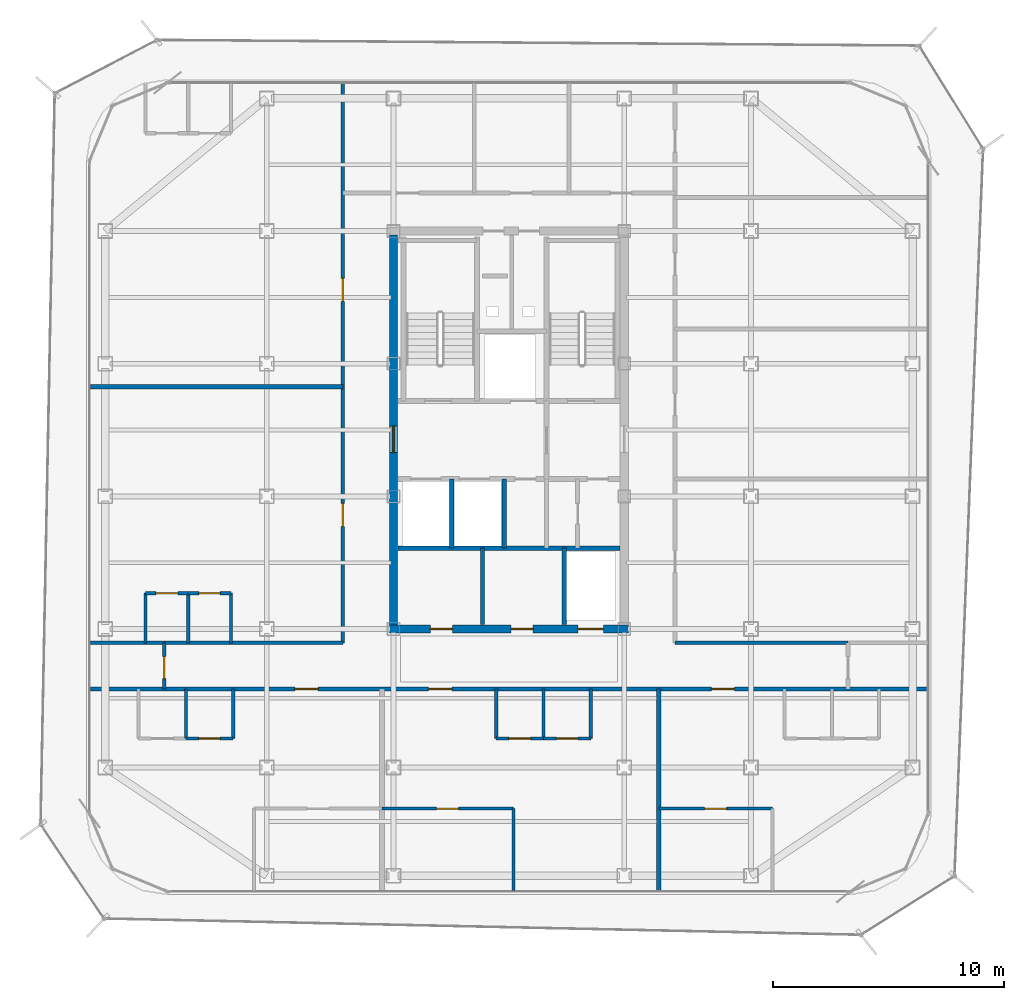
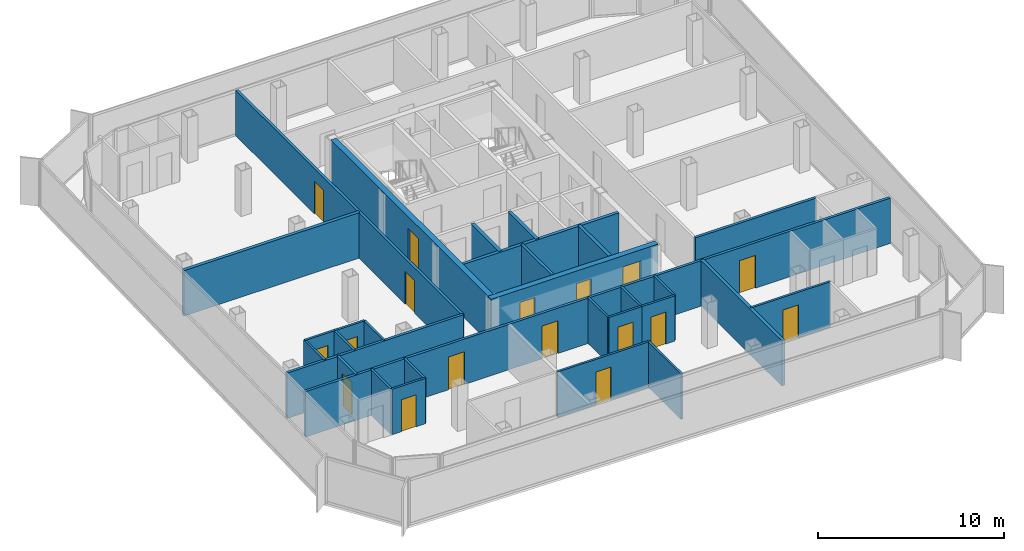
# One storey, part 10 of 15: 31 walls, 17 doors, 17 openings.
"""IFC4 building model written with IfcOpenShell, lengths in metres."""

from ifc_helpers import new_model, si_unit, direction, frame, frame_2d, origin, place, context, subcontext, project, spatial, rectangle, extrude, material, layer, layer_set, type_object, element, fill, save


model = new_model("IFC4")

# Units and contexts
model_context = context("Model", 3, precision=1e-05, world=origin(), true_north=direction((0.0, 1.0)))
body_context = subcontext(model_context, "Body", "Model", "MODEL_VIEW")
ifc_project = project(units=[si_unit("LENGTHUNIT", "METRE"), si_unit("AREAUNIT", "SQUARE_METRE"), si_unit("VOLUMEUNIT", "CUBIC_METRE"), si_unit("PLANEANGLEUNIT", "RADIAN"), si_unit("MASSUNIT", "GRAM", prefix="KILO")], contexts=[model_context])

# Site, building, storey
site_placement = place(None, origin())
site = spatial("IfcSite", under=ifc_project, at=site_placement, CompositionType="ELEMENT")
building_placement = place(site_placement, origin())
building = spatial("IfcBuilding", under=site, at=building_placement, Name="Kolveth Station Tower", CompositionType="ELEMENT")
storey_placement = place(building_placement, frame((0.0, 0.0, 223.300048828125)))
storey = spatial("IfcBuildingStorey", under=building, at=storey_placement, Name="L63", CompositionType="ELEMENT", Elevation=223.300048828125)

# Wall, openings, doors
ifc_material_1 = material(Name="Concrete C50/60", Category="concrete")
ifc_layer_1 = layer(ifc_material_1, 0.35009765625)
ifc_layer_set_1 = layer_set([ifc_layer_1], Name="Concrete C50/60")
wall_type_1 = type_object("IfcWallType", Name="Wall_CW-350", PredefinedType="SHEAR", material=ifc_layer_set_1)
wall_1_placement = place(storey_placement, frame((18.324951171875, 11.5, 0.0), z_axis=(0.0, 0.0, 1.0), x_axis=(1.0, 0.0, 0.0)))
wall_1 = element("IfcWall", 1, at=wall_1_placement, inside=storey, type_object=wall_type_1, Name="L63 Core RC Shear Wall S", PredefinedType="SHEAR", context=body_context, shape_type="SweptSolid", body=[
    extrude(rectangle(XDim=10.35009765625, YDim=0.35009765625, at=frame_2d((5.175048828125, 0.0))), origin(), (0.0, 0.0, 1.0), 2.97998046875),
])
opening_1_placement = place(wall_1_placement, frame((1.77490234375, 0.0, 0.0)))
opening_1 = element("IfcOpeningElement", 2, at=opening_1_placement, cuts=wall_1, Name="Opening ID1", PredefinedType="OPENING", context=body_context, shape_type="SweptSolid", body=[
    extrude(rectangle(XDim=0.949951171875, YDim=2.14990234375, at=frame_2d((0.47509765625, 1.074951171875))), frame((0.0, 0.18505859375, 0.0), z_axis=(0.0, -1.0, 0.0), x_axis=(1.0, 0.0, 0.0)), (0.0, 0.0, 1.0), 0.3701171875),
])
opening_2_placement = place(wall_1_placement, frame((5.27490234375, 0.0, 0.0)))
opening_2 = element("IfcOpeningElement", 3, at=opening_2_placement, cuts=wall_1, Name="Opening ID1", PredefinedType="OPENING", context=body_context, shape_type="SweptSolid", body=[
    extrude(rectangle(XDim=0.949951171875, YDim=2.14990234375, at=frame_2d((0.47509765625, 1.074951171875))), frame((0.0, 0.18505859375, 0.0), z_axis=(0.0, -1.0, 0.0), x_axis=(1.0, 0.0, 0.0)), (0.0, 0.0, 1.0), 0.3701171875),
])
opening_3_placement = place(wall_1_placement, frame((8.175048828125, 0.0, 0.0)))
opening_3 = element("IfcOpeningElement", 4, at=opening_3_placement, cuts=wall_1, Name="Opening LD1", PredefinedType="OPENING", context=body_context, shape_type="SweptSolid", body=[
    extrude(rectangle(XDim=1.10009765625, YDim=2.25, at=frame_2d((0.550048828125, 1.125))), frame((0.0, 0.18505859375, 0.0), z_axis=(0.0, -1.0, 0.0), x_axis=(1.0, 0.0, 0.0)), (0.0, 0.0, 1.0), 0.3701171875),
])
ifc_material_2 = material(Name="Acoustic hardwood leaf and aluminium frame", Category="wood")
door_type_1 = type_object("IfcDoorType", Name="Door_ID1", OperationType="NOTDEFINED", PredefinedType="DOOR", material=ifc_material_2)
door_1_placement = place(opening_1_placement, frame((0.949951171875, 0.0, 0.0), z_axis=(0.0, 0.0, 1.0), x_axis=(-1.0, 0.0, 0.0)))
door_1 = element("IfcDoor", 5, at=door_1_placement, inside=storey, type_object=door_type_1, Name="L63 Laundry Room Door", OperationType="SINGLE_SWING_LEFT", OverallHeight=2.14990234375, OverallWidth=0.949951171875, PredefinedType="DOOR", context=body_context, shape_type="SweptSolid", body=[
    extrude(rectangle(XDim=0.949951171875, YDim=2.14990234375, at=frame_2d((0.47509765625, 1.074951171875))), frame((0.0, 0.02490234375, 0.0), z_axis=(0.0, -1.0, 0.0), x_axis=(1.0, 0.0, 0.0)), (0.0, 0.0, 1.0), 0.050048828125),
])
fill(opening_1, door_1)
door_2_placement = place(opening_2_placement, frame((0.949951171875, 0.0, 0.0), z_axis=(0.0, 0.0, 1.0), x_axis=(-1.0, 0.0, 0.0)))
door_2 = element("IfcDoor", 6, at=door_2_placement, inside=storey, type_object=door_type_1, Name="L63 Parcel Room Door", OperationType="SINGLE_SWING_RIGHT", OverallHeight=2.14990234375, OverallWidth=0.949951171875, PredefinedType="DOOR", context=body_context, shape_type="SweptSolid", body=[
    extrude(rectangle(XDim=0.949951171875, YDim=2.14990234375, at=frame_2d((0.47509765625, 1.074951171875))), frame((0.0, 0.02490234375, 0.0), z_axis=(0.0, -1.0, 0.0), x_axis=(1.0, 0.0, 0.0)), (0.0, 0.0, 1.0), 0.050048828125),
])
fill(opening_2, door_2)
ifc_material_3 = material(Name="Brushed stainless steel sliding landing doors", Category="steel")
door_type_2 = type_object("IfcDoorType", Name="Door_LD1", OperationType="NOTDEFINED", PredefinedType="DOOR", material=ifc_material_3)
door_3_placement = place(opening_3_placement, frame((1.10009765625, 0.0, 0.0), z_axis=(0.0, 0.0, 1.0), x_axis=(-1.0, 0.0, 0.0)))
door_3 = element("IfcDoor", 7, at=door_3_placement, inside=storey, type_object=door_type_2, Name="L63 Lift PH1 Landing Door", OperationType="DOUBLE_DOOR_SLIDING", OverallHeight=2.25, OverallWidth=1.10009765625, PredefinedType="DOOR", context=body_context, shape_type="SweptSolid", body=[
    extrude(rectangle(XDim=1.10009765625, YDim=2.25, at=frame_2d((0.550048828125, 1.125))), frame((0.0, 0.02490234375, 0.0), z_axis=(0.0, -1.0, 0.0), x_axis=(1.0, 0.0, 0.0)), (0.0, 0.0, 1.0), 0.050048828125),
])
fill(opening_3, door_3)

# Wall, opening, door
wall_2_placement = place(storey_placement, frame((18.5, 11.675048828125, 0.0), z_axis=(0.0, 0.0, 1.0), x_axis=(0.0, 1.0, 0.0)))
wall_2 = element("IfcWall", 8, at=wall_2_placement, inside=storey, type_object=wall_type_1, Name="L63 Core RC Shear Wall W", PredefinedType="SHEAR", context=body_context, shape_type="SweptSolid", body=[
    extrude(rectangle(XDim=16.89990234375, YDim=0.35009765625, at=frame_2d((8.449951171875, 0.0))), origin(), (0.0, 0.0, 1.0), 2.97998046875),
])
opening_4_placement = place(wall_2_placement, frame((7.47509765625, 0.0, 0.0)))
opening_4 = element("IfcOpeningElement", 9, at=opening_4_placement, cuts=wall_2, Name="Opening FD1", PredefinedType="OPENING", context=body_context, shape_type="SweptSolid", body=[
    extrude(rectangle(XDim=1.14990234375, YDim=2.199951171875, at=frame_2d((0.574951171875, 1.10009765625))), frame((0.0, 0.18505859375, 0.0), z_axis=(0.0, -1.0, 0.0), x_axis=(1.0, 0.0, 0.0)), (0.0, 0.0, 1.0), 0.3701171875),
])
ifc_material_4 = material(Name="Fire-rated Steel S355 leaf and frame", Category="steel")
door_type_3 = type_object("IfcDoorType", Name="Door_FD1", OperationType="NOTDEFINED", PredefinedType="DOOR", material=ifc_material_4)
door_4_placement = place(opening_4_placement, frame((1.14990234375, 0.0, 0.0), z_axis=(0.0, 0.0, 1.0), x_axis=(-1.0, 0.0, 0.0)))
door_4 = element("IfcDoor", 10, at=door_4_placement, inside=storey, type_object=door_type_3, Name="L63 West Corridor to Firefighting Lobby Door", OperationType="SINGLE_SWING_LEFT", OverallHeight=2.199951171875, OverallWidth=1.14990234375, PredefinedType="DOOR", context=body_context, shape_type="SweptSolid", body=[
    extrude(rectangle(XDim=1.14990234375, YDim=2.199951171875, at=frame_2d((0.574951171875, 1.10009765625))), frame((0.0, 0.02490234375, 0.0), z_axis=(0.0, -1.0, 0.0), x_axis=(1.0, 0.0, 0.0)), (0.0, 0.0, 1.0), 0.050048828125),
])
fill(opening_4, door_4)

ifc_material_5 = material(Name="Moisture-resistant gypsum partition")
ifc_layer_2 = layer(ifc_material_5, 0.135009765625)
ifc_layer_set_2 = layer_set([ifc_layer_2], Name="Moisture-resistant gypsum partition")
wall_type_2 = type_object("IfcWallType", Name="Wall_IW-135", PredefinedType="PARTITIONING", material=ifc_layer_set_2)
wall_3_placement = place(storey_placement, frame((9.5, 6.75, 0.0), z_axis=(0.0, 0.0, 1.0), x_axis=(1.0, 0.0, 0.0)))
wall_3 = element("IfcWall", 11, at=wall_3_placement, inside=storey, type_object=wall_type_2, Name="L63 Partition Wall WL-L63-A1-IBHB", PredefinedType="PARTITIONING", context=body_context, shape_type="SweptSolid", body=[
    extrude(rectangle(XDim=2.050048828125, YDim=0.135009765625, at=frame_2d((1.02490234375, 0.0))), origin(), (0.0, 0.0, 1.0), 2.97998046875),
])
opening_5_placement = place(wall_3_placement, frame((0.56494140625, 0.0, 0.0)))
opening_5 = element("IfcOpeningElement", 12, at=opening_5_placement, cuts=wall_3, Name="Opening ID2", PredefinedType="OPENING", context=body_context, shape_type="SweptSolid", body=[
    extrude(rectangle(XDim=0.919921875, YDim=2.10009765625, at=frame_2d((0.4599609375, 1.050048828125))), frame((0.0, 0.077392578125, 0.0), z_axis=(0.0, -1.0, 0.0), x_axis=(1.0, 0.0, 0.0)), (0.0, 0.0, 1.0), 0.155029296875),
])
ifc_material_6 = material(Name="Moisture-resistant hardwood leaf", Category="wood")
door_type_4 = type_object("IfcDoorType", Name="Door_ID2", OperationType="NOTDEFINED", PredefinedType="DOOR", material=ifc_material_6)
door_5_placement = place(opening_5_placement, origin())
door_5 = element("IfcDoor", 13, at=door_5_placement, inside=storey, type_object=door_type_4, Name="Penthouse Flat L63-A1 Bathroom Door", OperationType="SINGLE_SWING_LEFT", OverallHeight=2.10009765625, OverallWidth=0.919921875, PredefinedType="DOOR", context=body_context, shape_type="SweptSolid", body=[
    extrude(rectangle(XDim=0.919921875, YDim=2.10009765625, at=frame_2d((0.4599609375, 1.050048828125))), frame((0.0, 0.02490234375, 0.0), z_axis=(0.0, -1.0, 0.0), x_axis=(1.0, 0.0, 0.0)), (0.0, 0.0, 1.0), 0.050048828125),
])
fill(opening_5, door_5)

# Walls
for number, where, z_axis, x_axis, name in (
    (14, (9.5, 6.75, 0.0), (0.0, 0.0, 1.0), (0.0, 1.0, 0.0), "L63 Partition Wall WL-L63-A1-IBV1"),
    (15, (11.550048828125, 6.75, 0.0), (0.0, 0.0, 1.0), (0.0, 1.0, 0.0), "L63 Partition Wall WL-L63-A1-IBV2"),
):
    element("IfcWall", number, at=place(storey_placement, frame(where, z_axis=z_axis, x_axis=x_axis)), inside=storey, type_object=wall_type_2, Name=name, PredefinedType="PARTITIONING", context=body_context, shape_type="SweptSolid", body=[
        extrude(rectangle(XDim=2.14990234375, YDim=0.135009765625, at=frame_2d((1.074951171875, 0.0))), origin(), (0.0, 0.0, 1.0), 2.97998046875),
    ])

# Wall, opening, door
wall_4_placement = place(storey_placement, frame((22.949951171875, 6.75, 0.0), z_axis=(0.0, 0.0, 1.0), x_axis=(1.0, 0.0, 0.0)))
wall_4 = element("IfcWall", 16, at=wall_4_placement, inside=storey, type_object=wall_type_2, Name="L63 Partition Wall WL-L63-A2-IBHK", PredefinedType="PARTITIONING", context=body_context, shape_type="SweptSolid", body=[
    extrude(rectangle(XDim=2.050048828125, YDim=0.135009765625, at=frame_2d((1.02490234375, 0.0))), origin(), (0.0, 0.0, 1.0), 2.97998046875),
])
opening_6_placement = place(wall_4_placement, frame((0.544921875, 0.0, 0.0)))
opening_6 = element("IfcOpeningElement", 17, at=opening_6_placement, cuts=wall_4, Name="Opening ID1", PredefinedType="OPENING", context=body_context, shape_type="SweptSolid", body=[
    extrude(rectangle(XDim=0.949951171875, YDim=2.14990234375, at=frame_2d((0.47509765625, 1.074951171875))), frame((0.0, 0.077392578125, 0.0), z_axis=(0.0, -1.0, 0.0), x_axis=(1.0, 0.0, 0.0)), (0.0, 0.0, 1.0), 0.155029296875),
])
door_6_placement = place(opening_6_placement, origin())
door_6 = element("IfcDoor", 18, at=door_6_placement, inside=storey, type_object=door_type_1, Name="Penthouse Flat L63-A2 Kitchen Door", OperationType="SINGLE_SWING_LEFT", OverallHeight=2.14990234375, OverallWidth=0.949951171875, PredefinedType="DOOR", context=body_context, shape_type="SweptSolid", body=[
    extrude(rectangle(XDim=0.949951171875, YDim=2.14990234375, at=frame_2d((0.47509765625, 1.074951171875))), frame((0.0, 0.02490234375, 0.0), z_axis=(0.0, -1.0, 0.0), x_axis=(1.0, 0.0, 0.0)), (0.0, 0.0, 1.0), 0.050048828125),
])
fill(opening_6, door_6)

wall_5_placement = place(storey_placement, frame((25.0, 6.75, 0.0), z_axis=(0.0, 0.0, 1.0), x_axis=(1.0, 0.0, 0.0)))
wall_5 = element("IfcWall", 19, at=wall_5_placement, inside=storey, type_object=wall_type_2, Name="L63 Partition Wall WL-L63-A2-IBHB", PredefinedType="PARTITIONING", context=body_context, shape_type="SweptSolid", body=[
    extrude(rectangle(XDim=2.050048828125, YDim=0.135009765625, at=frame_2d((1.02490234375, 0.0))), origin(), (0.0, 0.0, 1.0), 2.97998046875),
])
opening_7_placement = place(wall_5_placement, frame((0.56494140625, 0.0, 0.0)))
opening_7 = element("IfcOpeningElement", 20, at=opening_7_placement, cuts=wall_5, Name="Opening ID2", PredefinedType="OPENING", context=body_context, shape_type="SweptSolid", body=[
    extrude(rectangle(XDim=0.919921875, YDim=2.10009765625, at=frame_2d((0.4599609375, 1.050048828125))), frame((0.0, 0.077392578125, 0.0), z_axis=(0.0, -1.0, 0.0), x_axis=(1.0, 0.0, 0.0)), (0.0, 0.0, 1.0), 0.155029296875),
])
door_7_placement = place(opening_7_placement, origin())
door_7 = element("IfcDoor", 21, at=door_7_placement, inside=storey, type_object=door_type_4, Name="Penthouse Flat L63-A2 Bathroom Door", OperationType="SINGLE_SWING_RIGHT", OverallHeight=2.10009765625, OverallWidth=0.919921875, PredefinedType="DOOR", context=body_context, shape_type="SweptSolid", body=[
    extrude(rectangle(XDim=0.919921875, YDim=2.10009765625, at=frame_2d((0.4599609375, 1.050048828125))), frame((0.0, 0.02490234375, 0.0), z_axis=(0.0, -1.0, 0.0), x_axis=(1.0, 0.0, 0.0)), (0.0, 0.0, 1.0), 0.050048828125),
])
fill(opening_7, door_7)

# Walls
for number, where, z_axis, x_axis, name in (
    (22, (22.949951171875, 6.75, 0.0), (0.0, 0.0, 1.0), (0.0, 1.0, 0.0), "L63 Partition Wall WL-L63-A2-IBV0"),
    (23, (25.0, 6.75, 0.0), (0.0, 0.0, 1.0), (0.0, 1.0, 0.0), "L63 Partition Wall WL-L63-A2-IBV1"),
    (24, (27.050048828125, 6.75, 0.0), (0.0, 0.0, 1.0), (0.0, 1.0, 0.0), "L63 Partition Wall WL-L63-A2-IBV2"),
):
    element("IfcWall", number, at=place(storey_placement, frame(where, z_axis=z_axis, x_axis=x_axis)), inside=storey, type_object=wall_type_2, Name=name, PredefinedType="PARTITIONING", context=body_context, shape_type="SweptSolid", body=[
        extrude(rectangle(XDim=2.14990234375, YDim=0.135009765625, at=frame_2d((1.074951171875, 0.0))), origin(), (0.0, 0.0, 1.0), 2.97998046875),
    ])
wall_6_placement = place(storey_placement, frame((23.7041015625, 0.159912109375, 0.0), z_axis=(0.0, 0.0, 1.0), x_axis=(0.0, 1.0, 0.0)))
element("IfcWall", 25, at=wall_6_placement, inside=storey, type_object=wall_type_2, Name="L63 Partition Wall WL-L63-A2-BDVE", PredefinedType="PARTITIONING", context=body_context, shape_type="SweptSolid", body=[
    extrude(rectangle(XDim=3.550048828125, YDim=0.135009765625, at=frame_2d((1.77490234375, 0.0))), origin(), (0.0, 0.0, 1.0), 2.97998046875),
])

# Wall, opening, door
wall_7_placement = place(storey_placement, frame((18.0, 3.7099609375, 0.0), z_axis=(0.0, 0.0, 1.0), x_axis=(1.0, 0.0, 0.0)))
wall_7 = element("IfcWall", 26, at=wall_7_placement, inside=storey, type_object=wall_type_2, Name="L63 Partition Wall WL-L63-A2-BDH1", PredefinedType="PARTITIONING", context=body_context, shape_type="SweptSolid", body=[
    extrude(rectangle(XDim=5.7041015625, YDim=0.135009765625, at=frame_2d((2.85205078125, 0.0))), origin(), (0.0, 0.0, 1.0), 2.97998046875),
])
opening_8_placement = place(wall_7_placement, frame((2.3720703125, 0.0, 0.0)))
opening_8 = element("IfcOpeningElement", 27, at=opening_8_placement, cuts=wall_7, Name="Opening ID1", PredefinedType="OPENING", context=body_context, shape_type="SweptSolid", body=[
    extrude(rectangle(XDim=0.949951171875, YDim=2.14990234375, at=frame_2d((0.47509765625, 1.074951171875))), frame((0.0, 0.077392578125, 0.0), z_axis=(0.0, -1.0, 0.0), x_axis=(1.0, 0.0, 0.0)), (0.0, 0.0, 1.0), 0.155029296875),
])
door_8_placement = place(opening_8_placement, frame((0.949951171875, 0.0, 0.0), z_axis=(0.0, 0.0, 1.0), x_axis=(-1.0, 0.0, 0.0)))
door_8 = element("IfcDoor", 28, at=door_8_placement, inside=storey, type_object=door_type_1, Name="Penthouse Flat L63-A2 Bedroom 1 Door", OperationType="SINGLE_SWING_LEFT", OverallHeight=2.14990234375, OverallWidth=0.949951171875, PredefinedType="DOOR", context=body_context, shape_type="SweptSolid", body=[
    extrude(rectangle(XDim=0.949951171875, YDim=2.14990234375, at=frame_2d((0.47509765625, 1.074951171875))), frame((0.0, 0.02490234375, 0.0), z_axis=(0.0, -1.0, 0.0), x_axis=(1.0, 0.0, 0.0)), (0.0, 0.0, 1.0), 0.050048828125),
])
fill(opening_8, door_8)

wall_8_placement = place(storey_placement, frame((30.0, 3.7099609375, 0.0), z_axis=(0.0, 0.0, 1.0), x_axis=(1.0, 0.0, 0.0)))
wall_8 = element("IfcWall", 29, at=wall_8_placement, inside=storey, type_object=wall_type_2, Name="L63 Partition Wall WL-L63-A3-BDH1", PredefinedType="PARTITIONING", context=body_context, shape_type="SweptSolid", body=[
    extrude(rectangle(XDim=4.928955078125, YDim=0.135009765625, at=frame_2d((2.46435546875, 0.0))), origin(), (0.0, 0.0, 1.0), 2.97998046875),
])
opening_9_placement = place(wall_8_placement, frame((1.985107421875, 0.0, 0.0)))
opening_9 = element("IfcOpeningElement", 30, at=opening_9_placement, cuts=wall_8, Name="Opening ID1", PredefinedType="OPENING", context=body_context, shape_type="SweptSolid", body=[
    extrude(rectangle(XDim=0.949951171875, YDim=2.14990234375, at=frame_2d((0.47509765625, 1.074951171875))), frame((0.0, 0.077392578125, 0.0), z_axis=(0.0, -1.0, 0.0), x_axis=(1.0, 0.0, 0.0)), (0.0, 0.0, 1.0), 0.155029296875),
])
door_9_placement = place(opening_9_placement, frame((0.949951171875, 0.0, 0.0), z_axis=(0.0, 0.0, 1.0), x_axis=(-1.0, 0.0, 0.0)))
door_9 = element("IfcDoor", 31, at=door_9_placement, inside=storey, type_object=door_type_1, Name="Flat L63-A3 Bedroom 1 Door", OperationType="SINGLE_SWING_LEFT", OverallHeight=2.14990234375, OverallWidth=0.949951171875, PredefinedType="DOOR", context=body_context, shape_type="SweptSolid", body=[
    extrude(rectangle(XDim=0.949951171875, YDim=2.14990234375, at=frame_2d((0.47509765625, 1.074951171875))), frame((0.0, 0.02490234375, 0.0), z_axis=(0.0, -1.0, 0.0), x_axis=(1.0, 0.0, 0.0)), (0.0, 0.0, 1.0), 0.050048828125),
])
fill(opening_9, door_9)

wall_9_placement = place(storey_placement, frame((7.75, 13.050048828125, 0.0), z_axis=(0.0, 0.0, 1.0), x_axis=(1.0, 0.0, 0.0)))
wall_9 = element("IfcWall", 32, at=wall_9_placement, inside=storey, type_object=wall_type_2, Name="L63 Partition Wall WL-L63-W1-IBHK", PredefinedType="PARTITIONING", context=body_context, shape_type="SweptSolid", body=[
    extrude(rectangle(XDim=1.85009765625, YDim=0.135009765625, at=frame_2d((0.925048828125, 0.0))), origin(), (0.0, 0.0, 1.0), 2.97998046875),
])
opening_10_placement = place(wall_9_placement, frame((0.445068359375, 0.0, 0.0)))
opening_10 = element("IfcOpeningElement", 33, at=opening_10_placement, cuts=wall_9, Name="Opening ID1", PredefinedType="OPENING", context=body_context, shape_type="SweptSolid", body=[
    extrude(rectangle(XDim=0.949951171875, YDim=2.14990234375, at=frame_2d((0.47509765625, 1.074951171875))), frame((0.0, 0.077392578125, 0.0), z_axis=(0.0, -1.0, 0.0), x_axis=(1.0, 0.0, 0.0)), (0.0, 0.0, 1.0), 0.155029296875),
])
door_10_placement = place(opening_10_placement, origin())
door_10 = element("IfcDoor", 34, at=door_10_placement, inside=storey, type_object=door_type_1, Name="Penthouse Flat L63-W1 Kitchen Door", OperationType="SINGLE_SWING_LEFT", OverallHeight=2.14990234375, OverallWidth=0.949951171875, PredefinedType="DOOR", context=body_context, shape_type="SweptSolid", body=[
    extrude(rectangle(XDim=0.949951171875, YDim=2.14990234375, at=frame_2d((0.47509765625, 1.074951171875))), frame((0.0, 0.02490234375, 0.0), z_axis=(0.0, -1.0, 0.0), x_axis=(1.0, 0.0, 0.0)), (0.0, 0.0, 1.0), 0.050048828125),
])
fill(opening_10, door_10)

wall_10_placement = place(storey_placement, frame((9.60009765625, 13.050048828125, 0.0), z_axis=(0.0, 0.0, 1.0), x_axis=(1.0, 0.0, 0.0)))
wall_10 = element("IfcWall", 35, at=wall_10_placement, inside=storey, type_object=wall_type_2, Name="L63 Partition Wall WL-L63-W1-IBHB", PredefinedType="PARTITIONING", context=body_context, shape_type="SweptSolid", body=[
    extrude(rectangle(XDim=1.849853515625, YDim=0.135009765625, at=frame_2d((0.9248046875, 0.0))), origin(), (0.0, 0.0, 1.0), 2.97998046875),
])
opening_11_placement = place(wall_10_placement, frame((0.465087890625, 0.0, 0.0)))
opening_11 = element("IfcOpeningElement", 36, at=opening_11_placement, cuts=wall_10, Name="Opening ID2", PredefinedType="OPENING", context=body_context, shape_type="SweptSolid", body=[
    extrude(rectangle(XDim=0.919921875, YDim=2.10009765625, at=frame_2d((0.4599609375, 1.050048828125))), frame((0.0, 0.077392578125, 0.0), z_axis=(0.0, -1.0, 0.0), x_axis=(1.0, 0.0, 0.0)), (0.0, 0.0, 1.0), 0.155029296875),
])
door_11_placement = place(opening_11_placement, origin())
door_11 = element("IfcDoor", 37, at=door_11_placement, inside=storey, type_object=door_type_4, Name="Penthouse Flat L63-W1 Bathroom Door", OperationType="SINGLE_SWING_RIGHT", OverallHeight=2.10009765625, OverallWidth=0.919921875, PredefinedType="DOOR", context=body_context, shape_type="SweptSolid", body=[
    extrude(rectangle(XDim=0.919921875, YDim=2.10009765625, at=frame_2d((0.4599609375, 1.050048828125))), frame((0.0, 0.02490234375, 0.0), z_axis=(0.0, -1.0, 0.0), x_axis=(1.0, 0.0, 0.0)), (0.0, 0.0, 1.0), 0.050048828125),
])
fill(opening_11, door_11)

# Walls
for number, where, z_axis, x_axis, name in (
    (38, (7.75, 10.89990234375, 0.0), (0.0, 0.0, 1.0), (0.0, 1.0, 0.0), "L63 Partition Wall WL-L63-W1-IBV0"),
    (39, (9.60009765625, 10.89990234375, 0.0), (0.0, 0.0, 1.0), (0.0, 1.0, 0.0), "L63 Partition Wall WL-L63-W1-IBV1"),
    (40, (11.449951171875, 10.89990234375, 0.0), (0.0, 0.0, 1.0), (0.0, 1.0, 0.0), "L63 Partition Wall WL-L63-W1-IBV2"),
):
    element("IfcWall", number, at=place(storey_placement, frame(where, z_axis=z_axis, x_axis=x_axis)), inside=storey, type_object=wall_type_2, Name=name, PredefinedType="PARTITIONING", context=body_context, shape_type="SweptSolid", body=[
        extrude(rectangle(XDim=2.150146484375, YDim=0.135009765625, at=frame_2d((1.0751953125, 0.0))), origin(), (0.0, 0.0, 1.0), 2.97998046875),
    ])
ifc_material_7 = material(Name="Acoustic double-stud gypsum partition")
ifc_layer_3 = layer(ifc_material_7, 0.1650390625)
ifc_layer_set_3 = layer_set([ifc_layer_3], Name="Acoustic double-stud gypsum partition")
wall_type_3 = type_object("IfcWallType", Name="Wall_IW-165", PredefinedType="PARTITIONING", material=ifc_layer_set_3)
wall_11_placement = place(storey_placement, frame((22.35009765625, 11.68505859375, 0.0), z_axis=(0.0, 0.0, 1.0), x_axis=(0.0, 1.0, 0.0)))
element("IfcWall", 41, at=wall_11_placement, inside=storey, type_object=wall_type_3, Name="L63 Partition Wall WL-L63-FR-M", PredefinedType="PARTITIONING", context=body_context, shape_type="SweptSolid", body=[
    extrude(rectangle(XDim=3.31494140625, YDim=0.1650390625, at=frame_2d((1.657470703125, 0.0))), origin(), (0.0, 0.0, 1.0), 2.97998046875),
])

# Wall, openings, doors
wall_12_placement = place(storey_placement, frame((5.360107421875, 8.89990234375, 0.0), z_axis=(0.0, 0.0, 1.0), x_axis=(1.0, 0.0, 0.0)))
wall_12 = element("IfcWall", 42, at=wall_12_placement, inside=storey, type_object=wall_type_3, Name="L63 Partition Wall WL-L63-RS", PredefinedType="PARTITIONING", context=body_context, shape_type="SweptSolid", body=[
    extrude(rectangle(XDim=36.27978515625, YDim=0.1650390625, at=frame_2d((18.139892578125, 0.0))), origin(), (0.0, 0.0, 1.0), 2.97998046875),
])
opening_12_placement = place(wall_12_placement, frame((8.864990234375, 0.0, 0.0)))
opening_12 = element("IfcOpeningElement", 43, at=opening_12_placement, cuts=wall_12, Name="Opening FD3", PredefinedType="OPENING", context=body_context, shape_type="SweptSolid", body=[
    extrude(rectangle(XDim=1.0, YDim=2.14990234375, at=frame_2d((0.5, 1.074951171875))), frame((0.0, 0.092529296875, 0.0), z_axis=(0.0, -1.0, 0.0), x_axis=(1.0, 0.0, 0.0)), (0.0, 0.0, 1.0), 0.18505859375),
])
opening_13_placement = place(wall_12_placement, frame((14.6650390625, 0.0, 0.0)))
opening_13 = element("IfcOpeningElement", 44, at=opening_13_placement, cuts=wall_12, Name="Opening FD3", PredefinedType="OPENING", context=body_context, shape_type="SweptSolid", body=[
    extrude(rectangle(XDim=1.0, YDim=2.14990234375, at=frame_2d((0.5, 1.074951171875))), frame((0.0, 0.092529296875, 0.0), z_axis=(0.0, -1.0, 0.0), x_axis=(1.0, 0.0, 0.0)), (0.0, 0.0, 1.0), 0.18505859375),
])
opening_14_placement = place(wall_12_placement, frame((26.9150390625, 0.0, 0.0)))
opening_14 = element("IfcOpeningElement", 45, at=opening_14_placement, cuts=wall_12, Name="Opening FD3", PredefinedType="OPENING", context=body_context, shape_type="SweptSolid", body=[
    extrude(rectangle(XDim=1.0, YDim=2.14990234375, at=frame_2d((0.5, 1.074951171875))), frame((0.0, 0.092529296875, 0.0), z_axis=(0.0, -1.0, 0.0), x_axis=(1.0, 0.0, 0.0)), (0.0, 0.0, 1.0), 0.18505859375),
])
ifc_material_8 = material(Name="Fire-rated hardwood leaf and aluminium frame", Category="wood")
door_type_5 = type_object("IfcDoorType", Name="Door_FD3", OperationType="NOTDEFINED", PredefinedType="DOOR", material=ifc_material_8)
door_12_placement = place(opening_12_placement, frame((1.0, 0.0, 0.0), z_axis=(0.0, 0.0, 1.0), x_axis=(-1.0, 0.0, 0.0)))
door_12 = element("IfcDoor", 46, at=door_12_placement, inside=storey, type_object=door_type_5, Name="Penthouse Flat L63-A1 Entrance Door", OperationType="SINGLE_SWING_RIGHT", OverallHeight=2.14990234375, OverallWidth=1.0, PredefinedType="DOOR", context=body_context, shape_type="SweptSolid", body=[
    extrude(rectangle(XDim=1.0, YDim=2.14990234375, at=frame_2d((0.5, 1.074951171875))), frame((0.0, 0.02490234375, 0.0), z_axis=(0.0, -1.0, 0.0), x_axis=(1.0, 0.0, 0.0)), (0.0, 0.0, 1.0), 0.050048828125),
])
fill(opening_12, door_12)
door_13_placement = place(opening_13_placement, frame((1.0, 0.0, 0.0), z_axis=(0.0, 0.0, 1.0), x_axis=(-1.0, 0.0, 0.0)))
door_13 = element("IfcDoor", 47, at=door_13_placement, inside=storey, type_object=door_type_5, Name="Penthouse Flat L63-A2 Entrance Door", OperationType="SINGLE_SWING_RIGHT", OverallHeight=2.14990234375, OverallWidth=1.0, PredefinedType="DOOR", context=body_context, shape_type="SweptSolid", body=[
    extrude(rectangle(XDim=1.0, YDim=2.14990234375, at=frame_2d((0.5, 1.074951171875))), frame((0.0, 0.02490234375, 0.0), z_axis=(0.0, -1.0, 0.0), x_axis=(1.0, 0.0, 0.0)), (0.0, 0.0, 1.0), 0.050048828125),
])
fill(opening_13, door_13)
door_14_placement = place(opening_14_placement, frame((1.0, 0.0, 0.0), z_axis=(0.0, 0.0, 1.0), x_axis=(-1.0, 0.0, 0.0)))
door_14 = element("IfcDoor", 48, at=door_14_placement, inside=storey, type_object=door_type_5, Name="Flat L63-A3 Entrance Door", OperationType="SINGLE_SWING_LEFT", OverallHeight=2.14990234375, OverallWidth=1.0, PredefinedType="DOOR", context=body_context, shape_type="SweptSolid", body=[
    extrude(rectangle(XDim=1.0, YDim=2.14990234375, at=frame_2d((0.5, 1.074951171875))), frame((0.0, 0.02490234375, 0.0), z_axis=(0.0, -1.0, 0.0), x_axis=(1.0, 0.0, 0.0)), (0.0, 0.0, 1.0), 0.050048828125),
])
fill(opening_14, door_14)

# Walls
wall_13_placement = place(storey_placement, frame((8.56005859375, 10.89990234375, 0.0), z_axis=(0.0, 0.0, 1.0), x_axis=(1.0, 0.0, 0.0)))
element("IfcWall", 49, at=wall_13_placement, inside=storey, type_object=wall_type_3, Name="L63 Partition Wall WL-L63-RSWT", PredefinedType="PARTITIONING", context=body_context, shape_type="SweptSolid", body=[
    extrude(rectangle(XDim=7.739990234375, YDim=0.1650390625, at=frame_2d((3.8701171875, 0.0))), origin(), (0.0, 0.0, 1.0), 2.97998046875),
])
wall_14_placement = place(storey_placement, frame((30.699951171875, 10.89990234375, 0.0), z_axis=(0.0, 0.0, 1.0), x_axis=(1.0, 0.0, 0.0)))
element("IfcWall", 50, at=wall_14_placement, inside=storey, type_object=wall_type_3, Name="L63 Partition Wall WL-L63-RSET", PredefinedType="PARTITIONING", context=body_context, shape_type="SweptSolid", body=[
    extrude(rectangle(XDim=7.5, YDim=0.1650390625, at=frame_2d((3.75, 0.0))), origin(), (0.0, 0.0, 1.0), 2.97998046875),
])

# Wall, opening, door
wall_15_placement = place(storey_placement, frame((8.56005859375, 8.89990234375, 0.0), z_axis=(0.0, 0.0, 1.0), x_axis=(0.0, 1.0, 0.0)))
wall_15 = element("IfcWall", 51, at=wall_15_placement, inside=storey, type_object=wall_type_3, Name="L63 Partition Wall WL-L63-RSWE", PredefinedType="PARTITIONING", context=body_context, shape_type="SweptSolid", body=[
    extrude(rectangle(XDim=2.0, YDim=0.1650390625, at=frame_2d((1.0, 0.0))), origin(), (0.0, 0.0, 1.0), 2.97998046875),
])
opening_15_placement = place(wall_15_placement, frame((0.449951171875, 0.0, 0.0)))
opening_15 = element("IfcOpeningElement", 52, at=opening_15_placement, cuts=wall_15, Name="Opening ID1", PredefinedType="OPENING", context=body_context, shape_type="SweptSolid", body=[
    extrude(rectangle(XDim=0.949951171875, YDim=2.14990234375, at=frame_2d((0.47509765625, 1.074951171875))), frame((0.0, 0.092529296875, 0.0), z_axis=(0.0, -1.0, 0.0), x_axis=(1.0, 0.0, 0.0)), (0.0, 0.0, 1.0), 0.18505859375),
])
door_15_placement = place(opening_15_placement, frame((0.949951171875, 0.0, 0.0), z_axis=(0.0, 0.0, 1.0), x_axis=(-1.0, 0.0, 0.0)))
door_15 = element("IfcDoor", 53, at=door_15_placement, inside=storey, type_object=door_type_1, Name="L63 West Store Door", OperationType="SINGLE_SWING_LEFT", OverallHeight=2.14990234375, OverallWidth=0.949951171875, PredefinedType="DOOR", context=body_context, shape_type="SweptSolid", body=[
    extrude(rectangle(XDim=0.949951171875, YDim=2.14990234375, at=frame_2d((0.47509765625, 1.074951171875))), frame((0.0, 0.02490234375, 0.0), z_axis=(0.0, -1.0, 0.0), x_axis=(1.0, 0.0, 0.0)), (0.0, 0.0, 1.0), 0.050048828125),
])
fill(opening_15, door_15)

# Wall, openings, doors
wall_16_placement = place(storey_placement, frame((16.300048828125, 10.89990234375, 0.0), z_axis=(0.0, 0.0, 1.0), x_axis=(0.0, 1.0, 0.0)))
wall_16 = element("IfcWall", 54, at=wall_16_placement, inside=storey, type_object=wall_type_3, Name="L63 Partition Wall WL-L63-RW", PredefinedType="PARTITIONING", context=body_context, shape_type="SweptSolid", body=[
    extrude(rectangle(XDim=24.239990234375, YDim=0.1650390625, at=frame_2d((12.1201171875, 0.0))), origin(), (0.0, 0.0, 1.0), 2.97998046875),
])
opening_16_placement = place(wall_16_placement, frame((5.050048828125, 0.0, 0.0)))
opening_16 = element("IfcOpeningElement", 55, at=opening_16_placement, cuts=wall_16, Name="Opening FD3", PredefinedType="OPENING", context=body_context, shape_type="SweptSolid", body=[
    extrude(rectangle(XDim=1.0, YDim=2.14990234375, at=frame_2d((0.5, 1.074951171875))), frame((0.0, 0.092529296875, 0.0), z_axis=(0.0, -1.0, 0.0), x_axis=(1.0, 0.0, 0.0)), (0.0, 0.0, 1.0), 0.18505859375),
])
opening_17_placement = place(wall_16_placement, frame((14.800048828125, 0.0, 0.0)))
opening_17 = element("IfcOpeningElement", 56, at=opening_17_placement, cuts=wall_16, Name="Opening FD3", PredefinedType="OPENING", context=body_context, shape_type="SweptSolid", body=[
    extrude(rectangle(XDim=1.0, YDim=2.14990234375, at=frame_2d((0.5, 1.074951171875))), frame((0.0, 0.092529296875, 0.0), z_axis=(0.0, -1.0, 0.0), x_axis=(1.0, 0.0, 0.0)), (0.0, 0.0, 1.0), 0.18505859375),
])
door_16_placement = place(opening_16_placement, origin())
door_16 = element("IfcDoor", 57, at=door_16_placement, inside=storey, type_object=door_type_5, Name="Penthouse Flat L63-W1 Entrance Door", OperationType="SINGLE_SWING_LEFT", OverallHeight=2.14990234375, OverallWidth=1.0, PredefinedType="DOOR", context=body_context, shape_type="SweptSolid", body=[
    extrude(rectangle(XDim=1.0, YDim=2.14990234375, at=frame_2d((0.5, 1.074951171875))), frame((0.0, 0.02490234375, 0.0), z_axis=(0.0, -1.0, 0.0), x_axis=(1.0, 0.0, 0.0)), (0.0, 0.0, 1.0), 0.050048828125),
])
fill(opening_16, door_16)
door_17_placement = place(opening_17_placement, origin())
door_17 = element("IfcDoor", 58, at=door_17_placement, inside=storey, type_object=door_type_5, Name="Penthouse Flat L63-W2 Entrance Door", OperationType="SINGLE_SWING_RIGHT", OverallHeight=2.14990234375, OverallWidth=1.0, PredefinedType="DOOR", context=body_context, shape_type="SweptSolid", body=[
    extrude(rectangle(XDim=1.0, YDim=2.14990234375, at=frame_2d((0.5, 1.074951171875))), frame((0.0, 0.02490234375, 0.0), z_axis=(0.0, -1.0, 0.0), x_axis=(1.0, 0.0, 0.0)), (0.0, 0.0, 1.0), 0.050048828125),
])
fill(opening_17, door_17)

# Walls
wall_17_placement = place(storey_placement, frame((5.360107421875, 10.89990234375, 0.0), z_axis=(0.0, 0.0, 1.0), x_axis=(1.0, 0.0, 0.0)))
element("IfcWall", 59, at=wall_17_placement, inside=storey, type_object=wall_type_3, Name="L63 Partition Wall WL-L63-WSTN", PredefinedType="PARTITIONING", context=body_context, shape_type="SweptSolid", body=[
    extrude(rectangle(XDim=3.199951171875, YDim=0.1650390625, at=frame_2d((1.60009765625, 0.0))), origin(), (0.0, 0.0, 1.0), 2.97998046875),
])
ifc_material_9 = material(Name="Acoustic fire-rated gypsum blockwork", Category="masonry")
ifc_layer_4 = layer(ifc_material_9, 0.199951171875)
ifc_layer_set_4 = layer_set([ifc_layer_4], Name="Acoustic fire-rated gypsum blockwork")
wall_type_4 = type_object("IfcWallType", Name="Wall_IW-200", PredefinedType="PARTITIONING", material=ifc_layer_set_4)
for number, where, z_axis, x_axis, name in (
    (60, (21.02001953125, 15.0, 0.0), (0.0, 0.0, 1.0), (0.0, 1.0, 0.0), "L63 Partition Wall WL-L63-FF12"),
    (61, (23.300048828125, 15.0, 0.0), (0.0, 0.0, 1.0), (0.0, 1.0, 0.0), "L63 Partition Wall WL-L63-FF2E"),
):
    element("IfcWall", number, at=place(storey_placement, frame(where, z_axis=z_axis, x_axis=x_axis)), inside=storey, type_object=wall_type_4, Name=name, PredefinedType="PARTITIONING", context=body_context, shape_type="SweptSolid", body=[
        extrude(rectangle(XDim=3.0, YDim=0.199951171875, at=frame_2d((1.5, 0.0))), origin(), (0.0, 0.0, 1.0), 2.97998046875),
    ])
wall_18_placement = place(storey_placement, frame((18.68505859375, 15.0, 0.0), z_axis=(0.0, 0.0, 1.0), x_axis=(1.0, 0.0, 0.0)))
element("IfcWall", 62, at=wall_18_placement, inside=storey, type_object=wall_type_4, Name="L63 Partition Wall WL-L63-BOH-S", PredefinedType="PARTITIONING", context=body_context, shape_type="SweptSolid", body=[
    extrude(rectangle(XDim=9.6298828125, YDim=0.199951171875, at=frame_2d((4.81494140625, 0.0))), origin(), (0.0, 0.0, 1.0), 2.97998046875),
])
wall_19_placement = place(storey_placement, frame((25.89990234375, 11.68505859375, 0.0), z_axis=(0.0, 0.0, 1.0), x_axis=(0.0, 1.0, 0.0)))
element("IfcWall", 63, at=wall_19_placement, inside=storey, type_object=wall_type_4, Name="L63 Partition Wall WL-L63-PMPH", PredefinedType="PARTITIONING", context=body_context, shape_type="SweptSolid", body=[
    extrude(rectangle(XDim=3.31494140625, YDim=0.199951171875, at=frame_2d((1.657470703125, 0.0))), origin(), (0.0, 0.0, 1.0), 2.97998046875),
])
wall_20_placement = place(storey_placement, frame((30.0, 0.159912109375, 0.0), z_axis=(0.0, 0.0, 1.0), x_axis=(0.0, 1.0, 0.0)))
element("IfcWall", 64, at=wall_20_placement, inside=storey, type_object=wall_type_4, Name="L63 Partition Wall WL-L63-RSU-2", PredefinedType="PARTITIONING", context=body_context, shape_type="SweptSolid", body=[
    extrude(rectangle(XDim=8.739990234375, YDim=0.199951171875, at=frame_2d((4.3701171875, 0.0))), origin(), (0.0, 0.0, 1.0), 2.97998046875),
])
wall_21_placement = place(storey_placement, frame((5.360107421875, 22.0, 0.0), z_axis=(0.0, 0.0, 1.0), x_axis=(1.0, 0.0, 0.0)))
element("IfcWall", 65, at=wall_21_placement, inside=storey, type_object=wall_type_4, Name="L63 Partition Wall WL-L63-RWU-1", PredefinedType="PARTITIONING", context=body_context, shape_type="SweptSolid", body=[
    extrude(rectangle(XDim=10.93994140625, YDim=0.199951171875, at=frame_2d((5.469970703125, 0.0))), origin(), (0.0, 0.0, 1.0), 2.97998046875),
])

save(model, "model.ifc")
